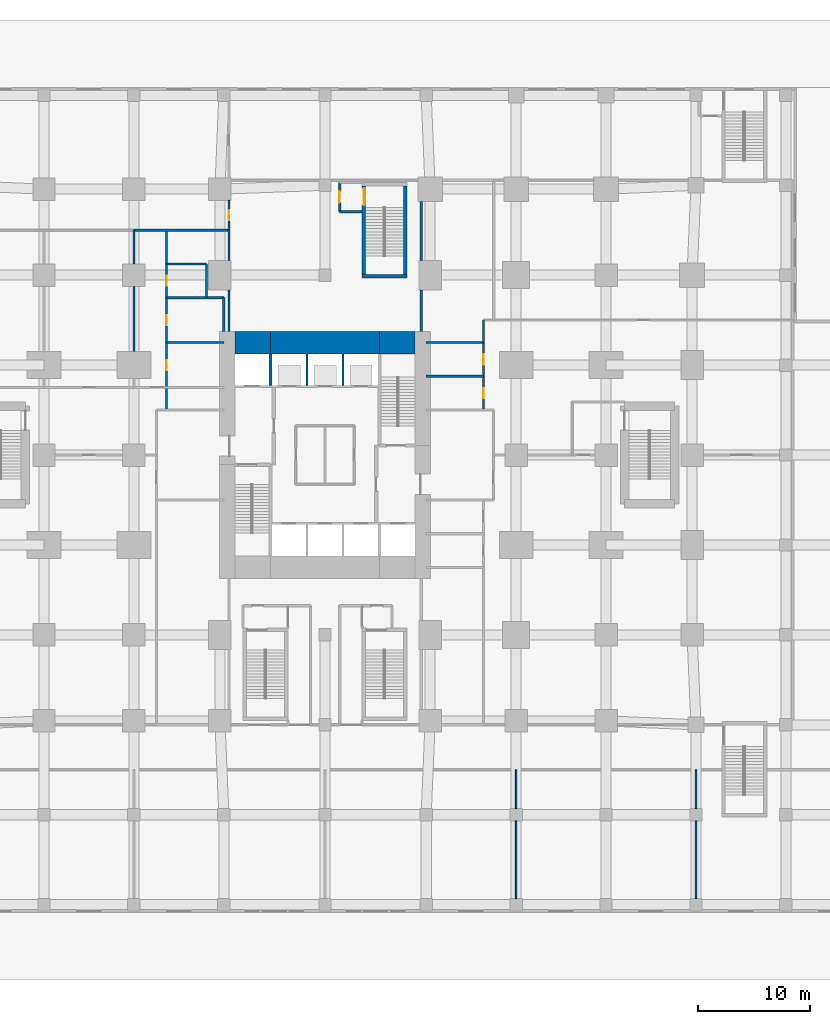
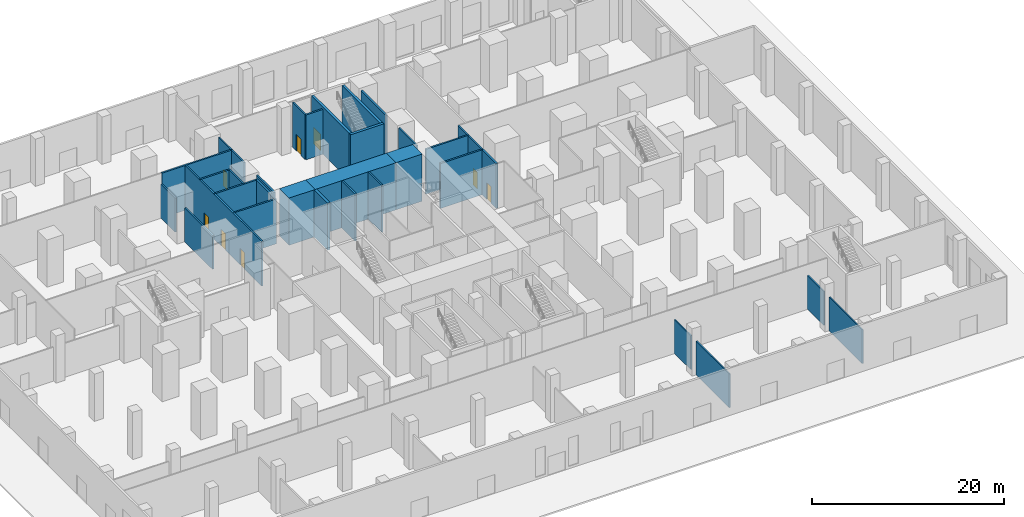
# One storey, part 8 of 16: 33 walls, 8 doors, 8 openings.
"""IFC4 building model written with IfcOpenShell, lengths in metres."""

from ifc_helpers import new_model, si_unit, direction, frame, frame_2d, origin, place, context, subcontext, project, spatial, rectangle, extrude, material, layer, layer_set, type_object, element, fill, save


model = new_model("IFC4")

# Units and contexts
model_context = context("Model", 3, precision=1e-05, world=origin(), true_north=direction((0.0, 1.0)))
body_context = subcontext(model_context, "Body", "Model", "MODEL_VIEW")
ifc_project = project(units=[si_unit("LENGTHUNIT", "METRE"), si_unit("AREAUNIT", "SQUARE_METRE"), si_unit("VOLUMEUNIT", "CUBIC_METRE"), si_unit("PLANEANGLEUNIT", "RADIAN"), si_unit("MASSUNIT", "GRAM", prefix="KILO")], contexts=[model_context])

# Site, building, storey
site_placement = place(None, origin())
site = spatial("IfcSite", under=ifc_project, at=site_placement, CompositionType="ELEMENT")
building_placement = place(site_placement, origin())
building = spatial("IfcBuilding", under=site, at=building_placement, Name="Cleftline Residences", CompositionType="ELEMENT")
storey_placement = place(building_placement, origin())
storey = spatial("IfcBuildingStorey", under=building, at=storey_placement, Name="L00", CompositionType="ELEMENT", Elevation=0.0)

# Walls
ifc_material_1 = material(Name="Concrete B70", Category="concrete")
ifc_layer_1 = layer(ifc_material_1, 2.0)
ifc_layer_set_1 = layer_set([ifc_layer_1], Name="CORE WALL 2000")
wall_type_1 = type_object("IfcWallType", Name="CORE WALL 2000", PredefinedType="SHEAR", material=ifc_layer_set_1)
wall_1_placement = place(storey_placement, frame((25.0, 34.0, 0.0), z_axis=(0.0, 0.0, 1.0), x_axis=(1.0, 0.0, 0.0)))
element("IfcWall", 1, at=wall_1_placement, inside=storey, type_object=wall_type_1, Name="Core wall N1", PredefinedType="SHEAR", context=body_context, shape_type="SweptSolid", body=[
    extrude(rectangle(XDim=3.14990234375, YDim=2.0, at=frame_2d((1.574951171875, 0.0))), origin(), (0.0, 0.0, 1.0), 6.0),
])
wall_2_placement = place(storey_placement, frame((28.14990234375, 34.0, 0.0), z_axis=(0.0, 0.0, 1.0), x_axis=(1.0, 0.0, 0.0)))
element("IfcWall", 2, at=wall_2_placement, inside=storey, type_object=wall_type_1, Name="Core wall N2", PredefinedType="SHEAR", context=body_context, shape_type="SweptSolid", body=[
    extrude(rectangle(XDim=9.7001953125, YDim=2.0, at=frame_2d((4.85009765625, 0.0))), origin(), (0.0, 0.0, 1.0), 6.0),
])
wall_3_placement = place(storey_placement, frame((37.85009765625, 34.0, 0.0), z_axis=(0.0, 0.0, 1.0), x_axis=(1.0, 0.0, 0.0)))
element("IfcWall", 3, at=wall_3_placement, inside=storey, type_object=wall_type_1, Name="Core wall N3", PredefinedType="SHEAR", context=body_context, shape_type="SweptSolid", body=[
    extrude(rectangle(XDim=3.14990234375, YDim=2.0, at=frame_2d((1.574951171875, 0.0))), origin(), (0.0, 0.0, 1.0), 6.0),
])
ifc_material_2 = material(Name="Concrete B70", Category="concrete")
ifc_layer_2 = layer(ifc_material_2, 0.300048828125)
ifc_layer_set_2 = layer_set([ifc_layer_2], Name="CORE WALL 300")
wall_type_2 = type_object("IfcWallType", Name="CORE WALL 300", PredefinedType="SHEAR", material=ifc_layer_set_2)
wall_4_placement = place(storey_placement, frame((28.14990234375, 30.199951171875, 0.0), z_axis=(0.0, 0.0, 1.0), x_axis=(0.0, 1.0, 0.0)))
element("IfcWall", 4, at=wall_4_placement, inside=storey, type_object=wall_type_2, Name="Lift shaft wall", PredefinedType="SHEAR", context=body_context, shape_type="SweptSolid", body=[
    extrude(rectangle(XDim=2.800048828125, YDim=0.300048828125, at=frame_2d((1.39990234375, 0.0))), origin(), (0.0, 0.0, 1.0), 6.0),
])
ifc_material_3 = material(Name="Concrete blockwork, fire rated", Category="masonry")
ifc_layer_3 = layer(ifc_material_3, 0.199951171875)
ifc_layer_set_3 = layer_set([ifc_layer_3], Name="FIRE WALL 200")
wall_type_3 = type_object("IfcWallType", Name="FIRE WALL 200", PredefinedType="PARTITIONING", material=ifc_layer_set_3)
for number, where, z_axis, x_axis, name in (
    (5, (42.0, 31.0, 0.0), (0.0, 0.0, 1.0), (1.0, 0.0, 0.0), "Fire separating wall"),
    (6, (18.89990234375, 34.0, 0.0), (0.0, 0.0, 1.0), (1.0, 0.0, 0.0), "Fire separating wall"),
    (7, (42.0, 34.0, 0.0), (0.0, 0.0, 1.0), (1.0, 0.0, 0.0), "Fire separating wall"),
    (8, (18.89990234375, 38.0, 0.0), (0.0, 0.0, 1.0), (1.0, 0.0, 0.0), "Fire separating wall"),
):
    element("IfcWall", number, at=place(storey_placement, frame(where, z_axis=z_axis, x_axis=x_axis)), inside=storey, type_object=wall_type_3, Name=name, PredefinedType="PARTITIONING", context=body_context, shape_type="SweptSolid", body=[
        extrude(rectangle(XDim=5.10009765625, YDim=0.199951171875, at=frame_2d((2.550048828125, 0.0))), origin(), (0.0, 0.0, 1.0), 5.699951171875),
    ])
wall_5_placement = place(storey_placement, frame((18.89990234375, 41.0, 0.0), z_axis=(0.0, 0.0, 1.0), x_axis=(1.0, 0.0, 0.0)))
element("IfcWall", 9, at=wall_5_placement, inside=storey, type_object=wall_type_3, Name="Fire separating wall", PredefinedType="PARTITIONING", context=body_context, shape_type="SweptSolid", body=[
    extrude(rectangle(XDim=3.550048828125, YDim=0.199951171875, at=frame_2d((1.77490234375, 0.0))), origin(), (0.0, 0.0, 1.0), 5.699951171875),
])
wall_6_placement = place(storey_placement, frame((16.0, 44.0, 0.0), z_axis=(0.0, 0.0, 1.0), x_axis=(1.0, 0.0, 0.0)))
element("IfcWall", 10, at=wall_6_placement, inside=storey, type_object=wall_type_3, Name="Fire separating wall", PredefinedType="PARTITIONING", context=body_context, shape_type="SweptSolid", body=[
    extrude(rectangle(XDim=8.449951171875, YDim=0.199951171875, at=frame_2d((4.22509765625, 0.0))), origin(), (0.0, 0.0, 1.0), 5.699951171875),
])
wall_7_placement = place(storey_placement, frame((34.300048828125, 45.64990234375, 0.0), z_axis=(0.0, 0.0, 1.0), x_axis=(1.0, 0.0, 0.0)))
element("IfcWall", 11, at=wall_7_placement, inside=storey, type_object=wall_type_3, Name="Fire separating wall", PredefinedType="PARTITIONING", context=body_context, shape_type="SweptSolid", body=[
    extrude(rectangle(XDim=2.0, YDim=0.199951171875, at=frame_2d((1.0, 0.0))), origin(), (0.0, 0.0, 1.0), 5.699951171875),
])
wall_8_placement = place(storey_placement, frame((16.0, 33.199951171875, 0.0), z_axis=(0.0, 0.0, 1.0), x_axis=(0.0, 1.0, 0.0)))
element("IfcWall", 12, at=wall_8_placement, inside=storey, type_object=wall_type_3, Name="Fire separating wall", PredefinedType="PARTITIONING", context=body_context, shape_type="SweptSolid", body=[
    extrude(rectangle(XDim=5.800048828125, YDim=0.199951171875, at=frame_2d((2.89990234375, 0.0))), origin(), (0.0, 0.0, 1.0), 4.300048828125),
])
wall_9_placement = place(storey_placement, frame((16.0, 41.0, 0.0), z_axis=(0.0, 0.0, 1.0), x_axis=(0.0, 1.0, 0.0)))
element("IfcWall", 13, at=wall_9_placement, inside=storey, type_object=wall_type_3, Name="Fire separating wall", PredefinedType="PARTITIONING", context=body_context, shape_type="SweptSolid", body=[
    extrude(rectangle(XDim=3.0, YDim=0.199951171875, at=frame_2d((1.5, 0.0))), origin(), (0.0, 0.0, 1.0), 4.300048828125),
])

# Wall, openings, doors
wall_10_placement = place(storey_placement, frame((18.89990234375, 28.0, 0.0), z_axis=(0.0, 0.0, 1.0), x_axis=(0.0, 1.0, 0.0)))
wall_10 = element("IfcWall", 14, at=wall_10_placement, inside=storey, type_object=wall_type_3, Name="Fire separating wall", PredefinedType="PARTITIONING", context=body_context, shape_type="SweptSolid", body=[
    extrude(rectangle(XDim=16.0, YDim=0.199951171875, at=frame_2d((8.0, 0.0))), origin(), (0.0, 0.0, 1.0), 5.699951171875),
])
opening_1_placement = place(wall_10_placement, frame((3.550048828125, 0.0, 0.0)))
opening_1 = element("IfcOpeningElement", 15, at=opening_1_placement, cuts=wall_10, Name="Opening D1F30", PredefinedType="OPENING", context=body_context, shape_type="SweptSolid", body=[
    extrude(rectangle(XDim=0.89990234375, YDim=2.10009765625, at=frame_2d((0.449951171875, 1.050048828125))), frame((0.0, 0.10986328125, 0.0), z_axis=(0.0, -1.0, 0.0), x_axis=(1.0, 0.0, 0.0)), (0.0, 0.0, 1.0), 0.219970703125),
])
opening_2_placement = place(wall_10_placement, frame((7.550048828125, 0.0, 0.0)))
opening_2 = element("IfcOpeningElement", 16, at=opening_2_placement, cuts=wall_10, Name="Opening D1F30", PredefinedType="OPENING", context=body_context, shape_type="SweptSolid", body=[
    extrude(rectangle(XDim=0.89990234375, YDim=2.10009765625, at=frame_2d((0.449951171875, 1.050048828125))), frame((0.0, 0.10986328125, 0.0), z_axis=(0.0, -1.0, 0.0), x_axis=(1.0, 0.0, 0.0)), (0.0, 0.0, 1.0), 0.219970703125),
])
opening_3_placement = place(wall_10_placement, frame((11.050048828125, 0.0, 0.0)))
opening_3 = element("IfcOpeningElement", 17, at=opening_3_placement, cuts=wall_10, Name="Opening D1F30", PredefinedType="OPENING", context=body_context, shape_type="SweptSolid", body=[
    extrude(rectangle(XDim=0.89990234375, YDim=2.10009765625, at=frame_2d((0.449951171875, 1.050048828125))), frame((0.0, 0.10986328125, 0.0), z_axis=(0.0, -1.0, 0.0), x_axis=(1.0, 0.0, 0.0)), (0.0, 0.0, 1.0), 0.219970703125),
])
ifc_material_4 = material(Name="Timber veneer on solid core", Category="wood")
door_type_1 = type_object("IfcDoorType", Name="DOOR 900X2100 EI 30", OperationType="SINGLE_SWING_LEFT", PredefinedType="DOOR", material=ifc_material_4)
door_1_placement = place(opening_1_placement, origin())
door_1 = element("IfcDoor", 18, at=door_1_placement, inside=storey, type_object=door_type_1, Name="Door to male wc", OperationType="SINGLE_SWING_RIGHT", OverallHeight=2.10009765625, OverallWidth=0.89990234375, PredefinedType="DOOR", context=body_context, shape_type="SweptSolid", body=[
    extrude(rectangle(XDim=0.89990234375, YDim=2.10009765625, at=frame_2d((0.449951171875, 1.050048828125))), frame((0.0, 0.02490234375, 0.0), z_axis=(0.0, -1.0, 0.0), x_axis=(1.0, 0.0, 0.0)), (0.0, 0.0, 1.0), 0.050048828125),
])
fill(opening_1, door_1)
door_2_placement = place(opening_2_placement, origin())
door_2 = element("IfcDoor", 19, at=door_2_placement, inside=storey, type_object=door_type_1, Name="Door to female wc", OperationType="SINGLE_SWING_LEFT", OverallHeight=2.10009765625, OverallWidth=0.89990234375, PredefinedType="DOOR", context=body_context, shape_type="SweptSolid", body=[
    extrude(rectangle(XDim=0.89990234375, YDim=2.10009765625, at=frame_2d((0.449951171875, 1.050048828125))), frame((0.0, 0.02490234375, 0.0), z_axis=(0.0, -1.0, 0.0), x_axis=(1.0, 0.0, 0.0)), (0.0, 0.0, 1.0), 0.050048828125),
])
fill(opening_2, door_2)
door_3_placement = place(opening_3_placement, origin())
door_3 = element("IfcDoor", 20, at=door_3_placement, inside=storey, type_object=door_type_1, Name="Door to accessible wc", OperationType="SINGLE_SWING_LEFT", OverallHeight=2.10009765625, OverallWidth=0.89990234375, PredefinedType="DOOR", context=body_context, shape_type="SweptSolid", body=[
    extrude(rectangle(XDim=0.89990234375, YDim=2.10009765625, at=frame_2d((0.449951171875, 1.050048828125))), frame((0.0, 0.02490234375, 0.0), z_axis=(0.0, -1.0, 0.0), x_axis=(1.0, 0.0, 0.0)), (0.0, 0.0, 1.0), 0.050048828125),
])
fill(opening_3, door_3)

# Walls
for number, where, z_axis, x_axis, name in (
    (21, (22.449951171875, 38.0, 0.0), (0.0, 0.0, 1.0), (0.0, 1.0, 0.0), "Fire separating wall"),
    (22, (24.0, 35.0, 0.0), (0.0, 0.0, 1.0), (0.0, 1.0, 0.0), "Fire separating wall"),
):
    element("IfcWall", number, at=place(storey_placement, frame(where, z_axis=z_axis, x_axis=x_axis)), inside=storey, type_object=wall_type_3, Name=name, PredefinedType="PARTITIONING", context=body_context, shape_type="SweptSolid", body=[
        extrude(rectangle(XDim=3.0, YDim=0.199951171875, at=frame_2d((1.5, 0.0))), origin(), (0.0, 0.0, 1.0), 5.699951171875),
    ])
wall_11_placement = place(storey_placement, frame((24.449951171875, 35.0, 0.0), z_axis=(0.0, 0.0, 1.0), x_axis=(0.0, 1.0, 0.0)))
element("IfcWall", 23, at=wall_11_placement, inside=storey, type_object=wall_type_3, Name="Fire separating wall", PredefinedType="PARTITIONING", context=body_context, shape_type="SweptSolid", body=[
    extrude(rectangle(XDim=3.699951171875, YDim=0.199951171875, at=frame_2d((1.85009765625, 0.0))), origin(), (0.0, 0.0, 1.0), 5.699951171875),
])
wall_12_placement = place(storey_placement, frame((24.449951171875, 41.300048828125, 0.0), z_axis=(0.0, 0.0, 1.0), x_axis=(0.0, 1.0, 0.0)))
element("IfcWall", 24, at=wall_12_placement, inside=storey, type_object=wall_type_3, Name="Fire separating wall", PredefinedType="PARTITIONING", context=body_context, shape_type="SweptSolid", body=[
    extrude(rectangle(XDim=2.699951171875, YDim=0.199951171875, at=frame_2d((1.35009765625, 0.0))), origin(), (0.0, 0.0, 1.0), 5.699951171875),
])

# Wall, opening, door
wall_13_placement = place(storey_placement, frame((34.300048828125, 45.64990234375, 0.0), z_axis=(0.0, 0.0, 1.0), x_axis=(0.0, 1.0, 0.0)))
wall_13 = element("IfcWall", 25, at=wall_13_placement, inside=storey, type_object=wall_type_3, Name="Fire separating wall", PredefinedType="PARTITIONING", context=body_context, shape_type="SweptSolid", body=[
    extrude(rectangle(XDim=2.60009765625, YDim=0.199951171875, at=frame_2d((1.300048828125, 0.0))), origin(), (0.0, 0.0, 1.0), 5.699951171875),
])
opening_4_placement = place(wall_13_placement, frame((0.800048828125, 0.0, 0.0)))
opening_4 = element("IfcOpeningElement", 26, at=opening_4_placement, cuts=wall_13, Name="Opening D2F60", PredefinedType="OPENING", context=body_context, shape_type="SweptSolid", body=[
    extrude(rectangle(XDim=1.0, YDim=2.10009765625, at=frame_2d((0.5, 1.050048828125))), frame((0.0, 0.10986328125, 0.0), z_axis=(0.0, -1.0, 0.0), x_axis=(1.0, 0.0, 0.0)), (0.0, 0.0, 1.0), 0.219970703125),
])
ifc_material_5 = material(Name="Timber veneer on solid core", Category="wood")
door_type_2 = type_object("IfcDoorType", Name="DOOR 1000X2100 EI 60", OperationType="SINGLE_SWING_LEFT", PredefinedType="DOOR", material=ifc_material_5)
door_4_placement = place(opening_4_placement, origin())
door_4 = element("IfcDoor", 27, at=door_4_placement, inside=storey, type_object=door_type_2, Name="Door to stair d lobby", OperationType="SINGLE_SWING_LEFT", OverallHeight=2.10009765625, OverallWidth=1.0, PredefinedType="DOOR", context=body_context, shape_type="SweptSolid", body=[
    extrude(rectangle(XDim=1.0, YDim=2.10009765625, at=frame_2d((0.5, 1.050048828125))), frame((0.0, 0.02490234375, 0.0), z_axis=(0.0, -1.0, 0.0), x_axis=(1.0, 0.0, 0.0)), (0.0, 0.0, 1.0), 0.050048828125),
])
fill(opening_4, door_4)

# Walls
wall_14_placement = place(storey_placement, frame((41.550048828125, 35.0, 0.0), z_axis=(0.0, 0.0, 1.0), x_axis=(0.0, 1.0, 0.0)))
element("IfcWall", 28, at=wall_14_placement, inside=storey, type_object=wall_type_3, Name="Fire separating wall", PredefinedType="PARTITIONING", context=body_context, shape_type="SweptSolid", body=[
    extrude(rectangle(XDim=3.699951171875, YDim=0.199951171875, at=frame_2d((1.85009765625, 0.0))), origin(), (0.0, 0.0, 1.0), 5.699951171875),
])
wall_15_placement = place(storey_placement, frame((41.550048828125, 41.300048828125, 0.0), z_axis=(0.0, 0.0, 1.0), x_axis=(0.0, 1.0, 0.0)))
element("IfcWall", 29, at=wall_15_placement, inside=storey, type_object=wall_type_3, Name="Fire separating wall", PredefinedType="PARTITIONING", context=body_context, shape_type="SweptSolid", body=[
    extrude(rectangle(XDim=5.25, YDim=0.199951171875, at=frame_2d((2.625, 0.0))), origin(), (0.0, 0.0, 1.0), 5.699951171875),
])

# Wall, openings, doors
wall_16_placement = place(storey_placement, frame((47.10009765625, 28.0, 0.0), z_axis=(0.0, 0.0, 1.0), x_axis=(0.0, 1.0, 0.0)))
wall_16 = element("IfcWall", 30, at=wall_16_placement, inside=storey, type_object=wall_type_3, Name="Fire separating wall", PredefinedType="PARTITIONING", context=body_context, shape_type="SweptSolid", body=[
    extrude(rectangle(XDim=6.0, YDim=0.199951171875, at=frame_2d((3.0, 0.0))), origin(), (0.0, 0.0, 1.0), 5.699951171875),
])
opening_5_placement = place(wall_16_placement, frame((1.050048828125, 0.0, 0.0)))
opening_5 = element("IfcOpeningElement", 31, at=opening_5_placement, cuts=wall_16, Name="Opening D1F30", PredefinedType="OPENING", context=body_context, shape_type="SweptSolid", body=[
    extrude(rectangle(XDim=0.89990234375, YDim=2.10009765625, at=frame_2d((0.449951171875, 1.050048828125))), frame((0.0, 0.10986328125, 0.0), z_axis=(0.0, -1.0, 0.0), x_axis=(1.0, 0.0, 0.0)), (0.0, 0.0, 1.0), 0.219970703125),
])
opening_6_placement = place(wall_16_placement, frame((4.050048828125, 0.0, 0.0)))
opening_6 = element("IfcOpeningElement", 32, at=opening_6_placement, cuts=wall_16, Name="Opening D1F30", PredefinedType="OPENING", context=body_context, shape_type="SweptSolid", body=[
    extrude(rectangle(XDim=0.89990234375, YDim=2.10009765625, at=frame_2d((0.449951171875, 1.050048828125))), frame((0.0, 0.10986328125, 0.0), z_axis=(0.0, -1.0, 0.0), x_axis=(1.0, 0.0, 0.0)), (0.0, 0.0, 1.0), 0.219970703125),
])
door_5_placement = place(opening_5_placement, origin())
door_5 = element("IfcDoor", 33, at=door_5_placement, inside=storey, type_object=door_type_1, Name="Door to male wc east", OperationType="SINGLE_SWING_RIGHT", OverallHeight=2.10009765625, OverallWidth=0.89990234375, PredefinedType="DOOR", context=body_context, shape_type="SweptSolid", body=[
    extrude(rectangle(XDim=0.89990234375, YDim=2.10009765625, at=frame_2d((0.449951171875, 1.050048828125))), frame((0.0, 0.02490234375, 0.0), z_axis=(0.0, -1.0, 0.0), x_axis=(1.0, 0.0, 0.0)), (0.0, 0.0, 1.0), 0.050048828125),
])
fill(opening_5, door_5)
door_6_placement = place(opening_6_placement, origin())
door_6 = element("IfcDoor", 34, at=door_6_placement, inside=storey, type_object=door_type_1, Name="Door to female wc east", OperationType="SINGLE_SWING_LEFT", OverallHeight=2.10009765625, OverallWidth=0.89990234375, PredefinedType="DOOR", context=body_context, shape_type="SweptSolid", body=[
    extrude(rectangle(XDim=0.89990234375, YDim=2.10009765625, at=frame_2d((0.449951171875, 1.050048828125))), frame((0.0, 0.02490234375, 0.0), z_axis=(0.0, -1.0, 0.0), x_axis=(1.0, 0.0, 0.0)), (0.0, 0.0, 1.0), 0.050048828125),
])
fill(opening_6, door_6)

# Wall, opening, door
ifc_material_6 = material(Name="Gypsum board on steel studs", Category="steel")
ifc_layer_4 = layer(ifc_material_6, 0.14990234375)
ifc_layer_set_4 = layer_set([ifc_layer_4], Name="PARTITION 150")
wall_type_4 = type_object("IfcWallType", Name="PARTITION 150", PredefinedType="PARTITIONING", material=ifc_layer_set_4)
wall_17_placement = place(storey_placement, frame((24.449951171875, 44.0, 0.0), z_axis=(0.0, 0.0, 1.0), x_axis=(0.0, 1.0, 0.0)))
wall_17 = element("IfcWall", 35, at=wall_17_placement, inside=storey, type_object=wall_type_4, Name="Partition", PredefinedType="PARTITIONING", context=body_context, shape_type="SweptSolid", body=[
    extrude(rectangle(XDim=2.64990234375, YDim=0.14990234375, at=frame_2d((1.324951171875, 0.0))), origin(), (0.0, 0.0, 1.0), 5.699951171875),
])
opening_7_placement = place(wall_17_placement, frame((0.875, 0.0, 0.0)))
opening_7 = element("IfcOpeningElement", 36, at=opening_7_placement, cuts=wall_17, Name="Opening D1", PredefinedType="OPENING", context=body_context, shape_type="SweptSolid", body=[
    extrude(rectangle(XDim=0.89990234375, YDim=2.10009765625, at=frame_2d((0.449951171875, 1.050048828125))), frame((0.0, 0.0849609375, 0.0), z_axis=(0.0, -1.0, 0.0), x_axis=(1.0, 0.0, 0.0)), (0.0, 0.0, 1.0), 0.169921875),
])
ifc_material_7 = material(Name="Timber veneer on solid core", Category="wood")
door_type_3 = type_object("IfcDoorType", Name="DOOR 900X2100", OperationType="SINGLE_SWING_LEFT", PredefinedType="DOOR", material=ifc_material_7)
door_7_placement = place(opening_7_placement, origin())
door_7 = element("IfcDoor", 37, at=door_7_placement, inside=storey, type_object=door_type_3, Name="Door to residents' parcel room", OperationType="SINGLE_SWING_LEFT", OverallHeight=2.10009765625, OverallWidth=0.89990234375, PredefinedType="DOOR", context=body_context, shape_type="SweptSolid", body=[
    extrude(rectangle(XDim=0.89990234375, YDim=2.10009765625, at=frame_2d((0.449951171875, 1.050048828125))), frame((0.0, 0.02490234375, 0.0), z_axis=(0.0, -1.0, 0.0), x_axis=(1.0, 0.0, 0.0)), (0.0, 0.0, 1.0), 0.050048828125),
])
fill(opening_7, door_7)

# Walls
wall_18_placement = place(storey_placement, frame((47.10009765625, 34.0, 0.0), z_axis=(0.0, 0.0, 1.0), x_axis=(0.0, 1.0, 0.0)))
element("IfcWall", 38, at=wall_18_placement, inside=storey, type_object=wall_type_4, Name="Partition", PredefinedType="PARTITIONING", context=body_context, shape_type="SweptSolid", body=[
    extrude(rectangle(XDim=2.0, YDim=0.14990234375, at=frame_2d((1.0, 0.0))), origin(), (0.0, 0.0, 1.0), 5.699951171875),
])
wall_19_placement = place(storey_placement, frame((50.0, -15.449951171875, 0.0), z_axis=(0.0, 0.0, 1.0), x_axis=(0.0, 1.0, 0.0)))
element("IfcWall", 39, at=wall_19_placement, inside=storey, type_object=wall_type_4, Name="Partition", PredefinedType="PARTITIONING", context=body_context, shape_type="SweptSolid", body=[
    extrude(rectangle(XDim=6.89990234375, YDim=0.14990234375, at=frame_2d((3.449951171875, 0.0))), origin(), (0.0, 0.0, 1.0), 4.300048828125),
])
wall_20_placement = place(storey_placement, frame((50.0, -7.449951171875, 0.0), z_axis=(0.0, 0.0, 1.0), x_axis=(0.0, 1.0, 0.0)))
element("IfcWall", 40, at=wall_20_placement, inside=storey, type_object=wall_type_4, Name="Partition", PredefinedType="PARTITIONING", context=body_context, shape_type="SweptSolid", body=[
    extrude(rectangle(XDim=3.449951171875, YDim=0.14990234375, at=frame_2d((1.72509765625, 0.0))), origin(), (0.0, 0.0, 1.0), 4.300048828125),
])
wall_21_placement = place(storey_placement, frame((66.0, -15.449951171875, 0.0), z_axis=(0.0, 0.0, 1.0), x_axis=(0.0, 1.0, 0.0)))
element("IfcWall", 41, at=wall_21_placement, inside=storey, type_object=wall_type_4, Name="Partition", PredefinedType="PARTITIONING", context=body_context, shape_type="SweptSolid", body=[
    extrude(rectangle(XDim=6.89990234375, YDim=0.14990234375, at=frame_2d((3.449951171875, 0.0))), origin(), (0.0, 0.0, 1.0), 4.300048828125),
])
wall_22_placement = place(storey_placement, frame((66.0, -7.449951171875, 0.0), z_axis=(0.0, 0.0, 1.0), x_axis=(0.0, 1.0, 0.0)))
element("IfcWall", 42, at=wall_22_placement, inside=storey, type_object=wall_type_4, Name="Partition", PredefinedType="PARTITIONING", context=body_context, shape_type="SweptSolid", body=[
    extrude(rectangle(XDim=3.449951171875, YDim=0.14990234375, at=frame_2d((1.72509765625, 0.0))), origin(), (0.0, 0.0, 1.0), 4.300048828125),
])
ifc_material_8 = material(Name="Concrete blockwork, fire rated", Category="masonry")
ifc_layer_5 = layer(ifc_material_8, 0.199951171875)
ifc_layer_set_5 = layer_set([ifc_layer_5], Name="SHAFT WALL 200")
wall_type_5 = type_object("IfcWallType", Name="SHAFT WALL 200", PredefinedType="PARTITIONING", material=ifc_layer_set_5)
for number, where, z_axis, x_axis, name in (
    (43, (31.39990234375, 30.199951171875, 0.0), (0.0, 0.0, 1.0), (0.0, 1.0, 0.0), "Lift shaft wall"),
    (44, (34.60009765625, 30.199951171875, 0.0), (0.0, 0.0, 1.0), (0.0, 1.0, 0.0), "Lift shaft wall"),
):
    element("IfcWall", number, at=place(storey_placement, frame(where, z_axis=z_axis, x_axis=x_axis)), inside=storey, type_object=wall_type_5, Name=name, PredefinedType="PARTITIONING", context=body_context, shape_type="SweptSolid", body=[
        extrude(rectangle(XDim=2.800048828125, YDim=0.199951171875, at=frame_2d((1.39990234375, 0.0))), origin(), (0.0, 0.0, 1.0), 6.0),
    ])
ifc_material_9 = material(Name="Concrete blockwork, fire rated", Category="masonry")
ifc_layer_6 = layer(ifc_material_9, 0.300048828125)
ifc_layer_set_6 = layer_set([ifc_layer_6], Name="STAIR ENCLOSURE WALL 300")
wall_type_6 = type_object("IfcWallType", Name="STAIR ENCLOSURE WALL 300", PredefinedType="PARTITIONING", material=ifc_layer_set_6)
wall_23_placement = place(storey_placement, frame((36.300048828125, 39.89990234375, 0.0), z_axis=(0.0, 0.0, 1.0), x_axis=(1.0, 0.0, 0.0)))
element("IfcWall", 45, at=wall_23_placement, inside=storey, type_object=wall_type_6, Name="Stair D enclosure", PredefinedType="PARTITIONING", context=body_context, shape_type="SweptSolid", body=[
    extrude(rectangle(XDim=4.0, YDim=0.300048828125, at=frame_2d((2.0, 0.0))), origin(), (0.0, 0.0, 1.0), 6.0),
])

# Wall, opening, door
wall_24_placement = place(storey_placement, frame((36.449951171875, 40.050048828125, 0.0), z_axis=(0.0, 0.0, 1.0), x_axis=(0.0, 1.0, 0.0)))
wall_24 = element("IfcWall", 46, at=wall_24_placement, inside=storey, type_object=wall_type_6, Name="Stair D enclosure", PredefinedType="PARTITIONING", context=body_context, shape_type="SweptSolid", body=[
    extrude(rectangle(XDim=7.89990234375, YDim=0.300048828125, at=frame_2d((3.949951171875, 0.0))), origin(), (0.0, 0.0, 1.0), 6.0),
])
opening_8_placement = place(wall_24_placement, frame((6.18505859375, 0.0, 0.0)))
opening_8 = element("IfcOpeningElement", 47, at=opening_8_placement, cuts=wall_24, Name="Opening D12", PredefinedType="OPENING", context=body_context, shape_type="SweptSolid", body=[
    extrude(rectangle(XDim=1.5, YDim=2.10009765625, at=frame_2d((0.75, 1.050048828125))), frame((0.0, 0.159912109375, 0.0), z_axis=(0.0, -1.0, 0.0), x_axis=(1.0, 0.0, 0.0)), (0.0, 0.0, 1.0), 0.320068359375),
])
ifc_material_10 = material(Name="Steel", Category="steel")
door_type_4 = type_object("IfcDoorType", Name="STAIR DOOR 1500X2100", OperationType="DOUBLE_DOOR_SINGLE_SWING", PredefinedType="DOOR", material=ifc_material_10)
door_8_placement = place(opening_8_placement, origin())
door_8 = element("IfcDoor", 48, at=door_8_placement, inside=storey, type_object=door_type_4, Name="Stair D door", OperationType="DOUBLE_DOOR_SINGLE_SWING", OverallHeight=2.10009765625, OverallWidth=1.5, PredefinedType="DOOR", context=body_context, shape_type="SweptSolid", body=[
    extrude(rectangle(XDim=1.5, YDim=2.10009765625, at=frame_2d((0.75, 1.050048828125))), frame((0.0, 0.02490234375, 0.0), z_axis=(0.0, -1.0, 0.0), x_axis=(1.0, 0.0, 0.0)), (0.0, 0.0, 1.0), 0.050048828125),
])
fill(opening_8, door_8)

# Wall
wall_25_placement = place(storey_placement, frame((40.14990234375, 40.050048828125, 0.0), z_axis=(0.0, 0.0, 1.0), x_axis=(0.0, 1.0, 0.0)))
element("IfcWall", 49, at=wall_25_placement, inside=storey, type_object=wall_type_6, Name="Stair D enclosure", PredefinedType="PARTITIONING", context=body_context, shape_type="SweptSolid", body=[
    extrude(rectangle(XDim=7.89990234375, YDim=0.300048828125, at=frame_2d((3.949951171875, 0.0))), origin(), (0.0, 0.0, 1.0), 6.0),
])

save(model, "model.ifc")
